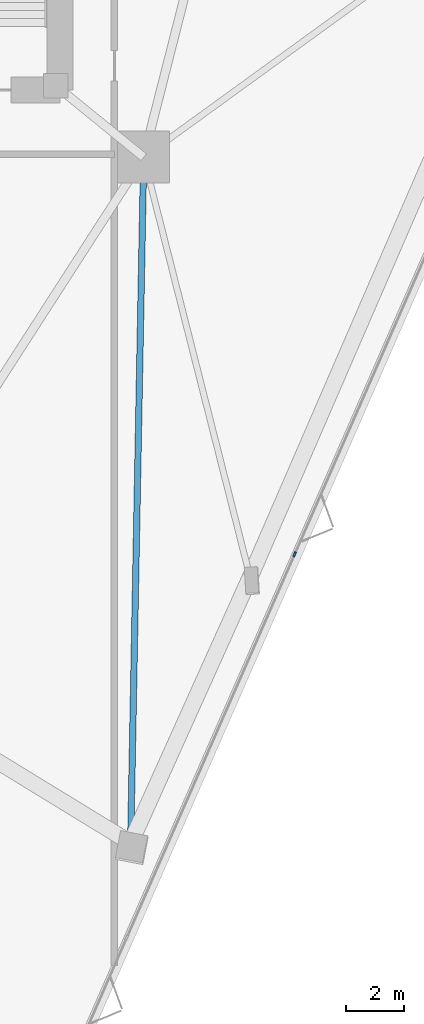
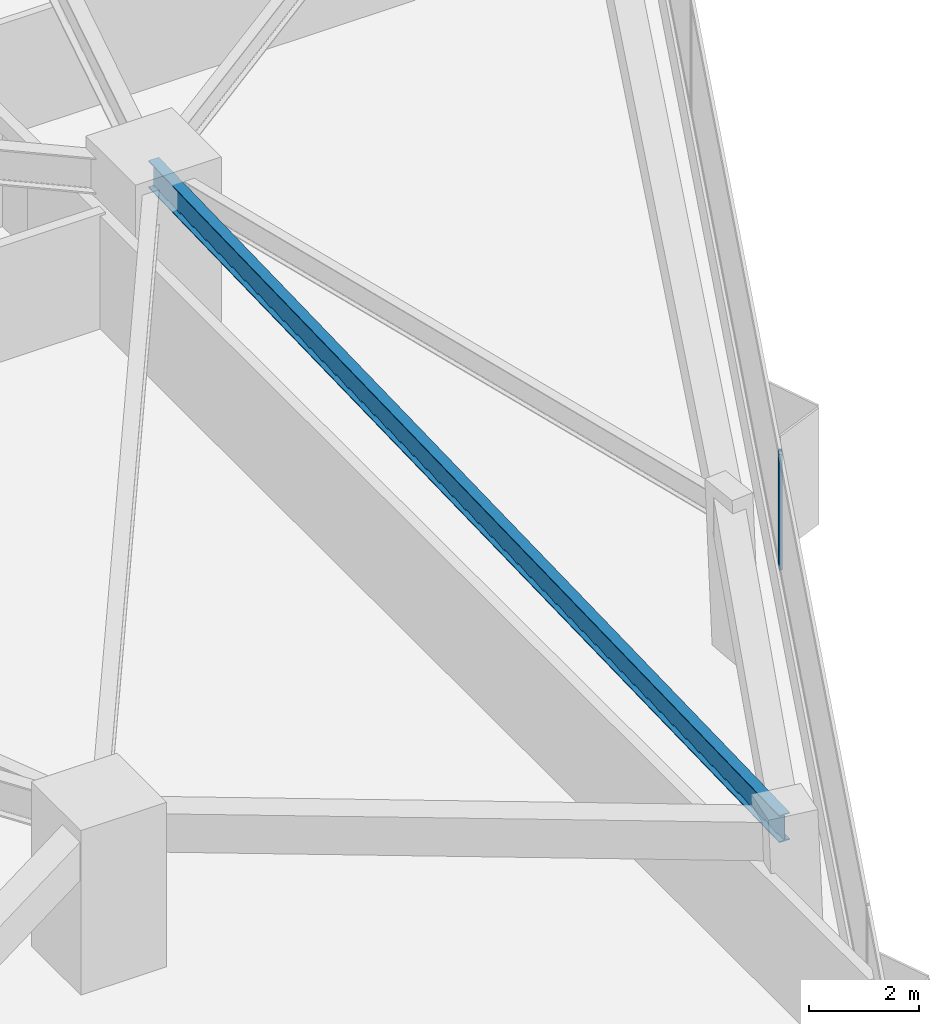
# One storey, part 5 of 20: 1 beam, 1 member, 1 element without a shape of its own.
"""IFC4 building model written with IfcOpenShell, lengths in metres."""

from ifc_helpers import new_model, si_unit, direction, frame, origin, origin_2d, place, context, subcontext, project, spatial, rectangle, i_section, extrude, material, layer, layer_set, material_profile, profile_set, type_object, element, aggregate, save


model = new_model("IFC4")

# Units and contexts
model_context = context("Model", 3, precision=1e-05, world=origin(), true_north=direction((0.0, 1.0)))
body_context = subcontext(model_context, "Body", "Model", "MODEL_VIEW")
ifc_project = project(units=[si_unit("LENGTHUNIT", "METRE"), si_unit("AREAUNIT", "SQUARE_METRE"), si_unit("VOLUMEUNIT", "CUBIC_METRE"), si_unit("PLANEANGLEUNIT", "RADIAN"), si_unit("MASSUNIT", "GRAM", prefix="KILO")], contexts=[model_context])

# Site, building, storey
site_placement = place(None, origin())
site = spatial("IfcSite", under=ifc_project, at=site_placement, CompositionType="ELEMENT")
building_placement = place(site_placement, origin())
building = spatial("IfcBuilding", under=site, at=building_placement, Name="Talyreon Biosciences Tower", CompositionType="ELEMENT")
storey_placement = place(building_placement, frame((0.0, 0.0, 37.39990234375)))
storey = spatial("IfcBuildingStorey", under=building, at=storey_placement, Name="L09", CompositionType="ELEMENT", Elevation=37.39990234375)

# Curtain wall, member
ifc_material_1 = material(Name="Thermally broken aluminium and low-E glazing", Category="aluminium")
ifc_layer = layer(ifc_material_1, 0.195068359375)
ifc_layer_set = layer_set([ifc_layer], Name="Thermally broken aluminium and low-E glazing")
curtain_wall_type = type_object("IfcCurtainWallType", Name="CurtainWall_Zone1WetLab", PredefinedType="NOTDEFINED", material=ifc_layer_set)
curtain_wall_placement = place(storey_placement, origin())
curtain_wall = element("IfcCurtainWall", 1, at=curtain_wall_placement, inside=storey, type_object=curtain_wall_type, Name="L09 Unitised Curtain Wall FCW-L09-08", PredefinedType="NOTDEFINED")
ifc_material_2 = material(Name="Anodised thermally broken aluminium", Category="aluminium")
ifc_material_profile_1 = material_profile(ifc_material_2, rectangle(XDim=0.06494140625, YDim=0.179931640625, at=origin_2d()), Name="ALUM MULLION 65x180")
ifc_profile_set_1 = profile_set([ifc_material_profile_1], Name="Anodised thermally broken aluminium")
member_type = type_object("IfcMemberType", Name="CWMullion_65x180", PredefinedType="MULLION", material=ifc_profile_set_1)
member_placement = place(storey_placement, frame((82.308349609375, 45.146240234375, 0.81005859375), z_axis=(0.0, 0.0, 1.0), x_axis=(0.915980408101, -0.401222995321, 0.0)))
member = element("IfcMember", 2, at=member_placement, type_object=member_type, Name="CW2 mullion 4", PredefinedType="MULLION", context=body_context, shape_type="SweptSolid", body=[
    extrude(rectangle(XDim=0.06494140625, YDim=0.179931640625, at=origin_2d()), origin(), (0.0, 0.0, 1.0), 2.56494140625),
])
aggregate(curtain_wall, [member])

# Beam
ifc_material_3 = material(Name="Steel SM355", Category="steel")
ifc_material_profile_2 = material_profile(ifc_material_3, i_section(OverallWidth=0.219970703125, OverallDepth=0.60009765625, WebThickness=0.011962890625, FlangeThickness=0.01904296875, FilletRadius=0.02392578125, at=origin_2d()), Name="IPE600")
ifc_profile_set_2 = profile_set([ifc_material_profile_2], Name="Steel SM355")
beam_type = type_object("IfcBeamType", Name="SteelJoist_IPE600", PredefinedType="JOIST", material=ifc_profile_set_2)
beam_placement = place(storey_placement, frame((77.086181640625, 58.88037109375, 3.0751953125), z_axis=(-0.018989976207, -0.999819674143, 0.0), x_axis=(0.999819674143, -0.018989976207, 0.0)))
element("IfcBeam", 3, at=beam_placement, inside=storey, type_object=beam_type, Name="L09 Radial Composite Floor Joist PC-SE1", PredefinedType="JOIST", context=body_context, shape_type="SweptSolid", body=[
    extrude(i_section(OverallWidth=0.219970703125, OverallDepth=0.60009765625, WebThickness=0.011962890625, FlangeThickness=0.01904296875, FilletRadius=0.02392578125, at=origin_2d()), origin(), (0.0, 0.0, 1.0), 23.719970703125),
])

save(model, "model.ifc")
